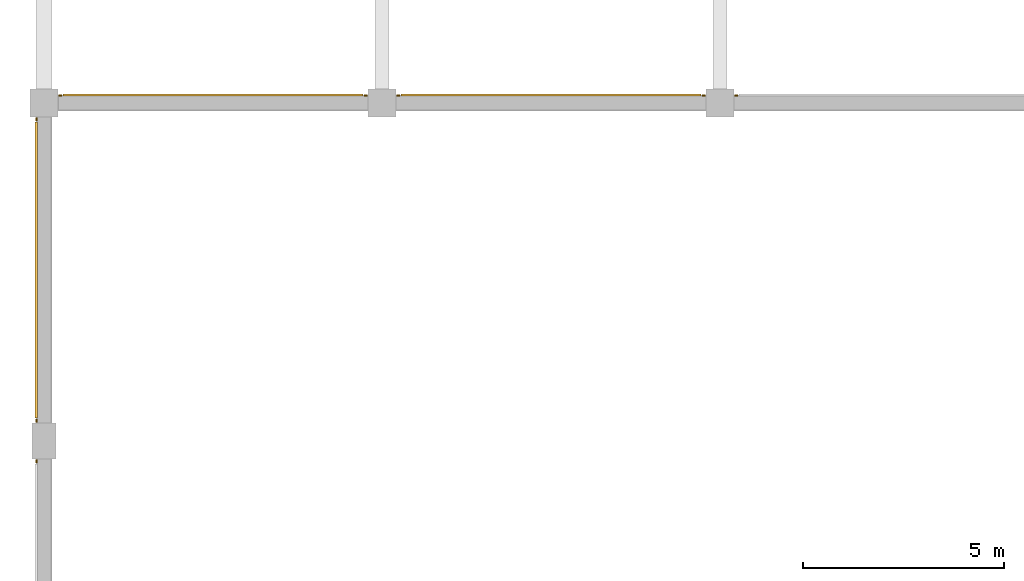
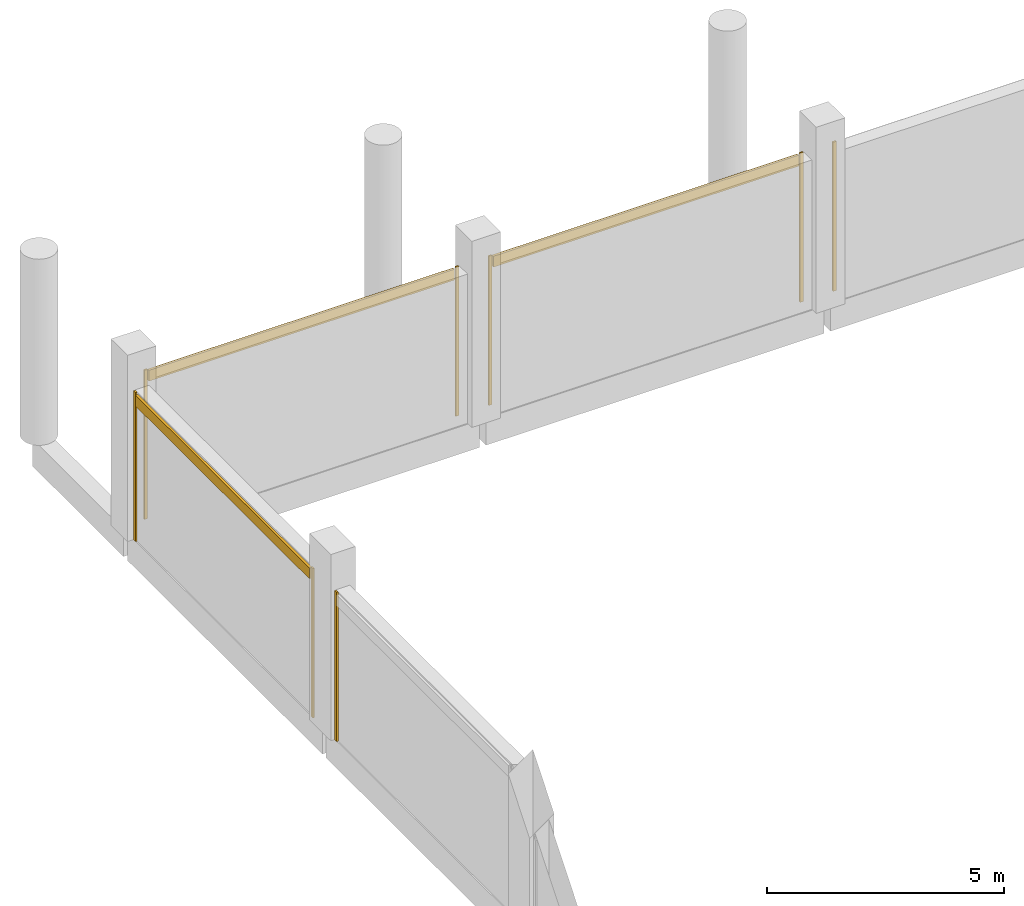
# One storey, part 126 of 128: 11 coverings.
"""IFC4 building model written with IfcOpenShell, lengths in metres."""

from ifc_helpers import new_model, si_unit, direction, frame, origin, origin_2d, place, context, subcontext, project, spatial, rectangle, extrude, material, layer, layer_set, type_object, element, save


model = new_model("IFC4")

# Units and contexts
model_context = context("Model", 3, precision=1e-05, world=origin(), true_north=direction((0.0, 1.0)))
body_context = subcontext(model_context, "Body", "Model", "MODEL_VIEW")
ifc_project = project(units=[si_unit("LENGTHUNIT", "METRE"), si_unit("AREAUNIT", "SQUARE_METRE"), si_unit("VOLUMEUNIT", "CUBIC_METRE"), si_unit("PLANEANGLEUNIT", "RADIAN"), si_unit("MASSUNIT", "GRAM", prefix="KILO")], contexts=[model_context])

# Site, building, storey
site_placement = place(None, origin())
site = spatial("IfcSite", under=ifc_project, at=site_placement, CompositionType="ELEMENT")
building_placement = place(site_placement, origin())
building = spatial("IfcBuilding", under=site, at=building_placement, Name="Telukmera Botanical Conservatory", CompositionType="ELEMENT")
storey_placement = place(building_placement, frame((0.0, 0.0, 5.39990234375)))
storey = spatial("IfcBuildingStorey", under=building, at=storey_placement, Name="L01", CompositionType="ELEMENT", Elevation=5.39990234375)

# Coverings
ifc_material_1 = material(Name="Granite-faced precast concrete C40/50", Category="masonry")
ifc_layer_1 = layer(ifc_material_1, 0.0400390625)
ifc_layer_set_1 = layer_set([ifc_layer_1], Name="Granite-faced precast concrete C40/50")
covering_type_1 = type_object("IfcCoveringType", Name="Granite Precast Column Pier Reveal Casing", PredefinedType="CLADDING", material=ifc_layer_set_1)
for number, where, z_axis, x_axis, name in (
    (1, (8.802001953125, 116.989990234375, 0.0), (0.0, 0.0, 1.0), (1.0, 0.0, 0.0), "Granite Pier Reveal V2:L01:N1 L"),
    (2, (16.39794921875, 116.989990234375, 0.0), (0.0, 0.0, 1.0), (1.0, 0.0, 0.0), "Granite Pier Reveal V2:L01:N1 R"),
    (3, (17.201904296875, 116.989990234375, 0.0), (0.0, 0.0, 1.0), (1.0, 0.0, 0.0), "Granite Pier Reveal V2:L01:N2 L"),
    (4, (24.798095703125, 116.989990234375, 0.0), (0.0, 0.0, 1.0), (1.0, 0.0, 0.0), "Granite Pier Reveal V2:L01:N2 R"),
    (5, (25.60205078125, 116.989990234375, 0.0), (0.0, 0.0, 1.0), (1.0, 0.0, 0.0), "Granite Pier Reveal V2:L01:N3 L"),
    (6, (8.2099609375, 107.89794921875, 0.0), (0.0, 0.0, 1.0), (0.0, 1.0, 0.0), "Granite Pier Reveal V2:L01:W3 R"),
    (7, (8.2099609375, 108.902099609375, 0.0), (0.0, 0.0, 1.0), (0.0, 1.0, 0.0), "Granite Pier Reveal V2:L01:W4 L"),
    (8, (8.2099609375, 116.39794921875, 0.0), (0.0, 0.0, 1.0), (0.0, 1.0, 0.0), "Granite Pier Reveal V2:L01:W4 R"),
):
    element("IfcCovering", number, at=place(storey_placement, frame(where, z_axis=z_axis, x_axis=x_axis)), inside=storey, type_object=covering_type_1, Name=name, PredefinedType="CLADDING", context=body_context, shape_type="SweptSolid", body=[
        extrude(rectangle(XDim=0.080078125, YDim=0.0400390625, at=origin_2d()), origin(), (0.0, 0.0, 1.0), 3.85009765625),
    ])
ifc_material_2 = material(Name="Terracotta-faced precast concrete C40/50", Category="masonry")
ifc_layer_2 = layer(ifc_material_2, 0.06005859375)
ifc_layer_set_2 = layer_set([ifc_layer_2], Name="Terracotta-faced precast concrete C40/50")
covering_type_2 = type_object("IfcCoveringType", Name="Polychrome Terracotta Facade Band Cladding", PredefinedType="CLADDING", material=ifc_layer_set_2)
for number, where, z_axis, x_axis, name in (
    (9, (12.60009765625, 117.0, 3.5302734375), (0.0, 0.0, 1.0), (1.0, 0.0, 0.0), "Polychrome Terracotta Band V2:L01:N1"),
    (10, (21.0, 117.0, 3.5302734375), (0.0, 0.0, 1.0), (1.0, 0.0, 0.0), "Polychrome Terracotta Band V2:L01:N2"),
):
    element("IfcCovering", number, at=place(storey_placement, frame(where, z_axis=z_axis, x_axis=x_axis)), inside=storey, type_object=covering_type_2, Name=name, PredefinedType="CLADDING", context=body_context, shape_type="SweptSolid", body=[
        extrude(rectangle(XDim=7.4560546875, YDim=0.06005859375, at=origin_2d()), origin(), (0.0, 0.0, 1.0), 0.280029296875),
    ])
covering_placement = place(storey_placement, frame((8.199951171875, 112.64990234375, 3.5302734375), z_axis=(0.0, 0.0, 1.0), x_axis=(0.0, 1.0, 0.0)))
element("IfcCovering", 11, at=covering_placement, inside=storey, type_object=covering_type_2, Name="Polychrome Terracotta Band V2:L01:W4", PredefinedType="CLADDING", context=body_context, shape_type="SweptSolid", body=[
    extrude(rectangle(XDim=7.35595703125, YDim=0.06005859375, at=origin_2d()), origin(), (0.0, 0.0, 1.0), 0.280029296875),
])

save(model, "model.ifc")
